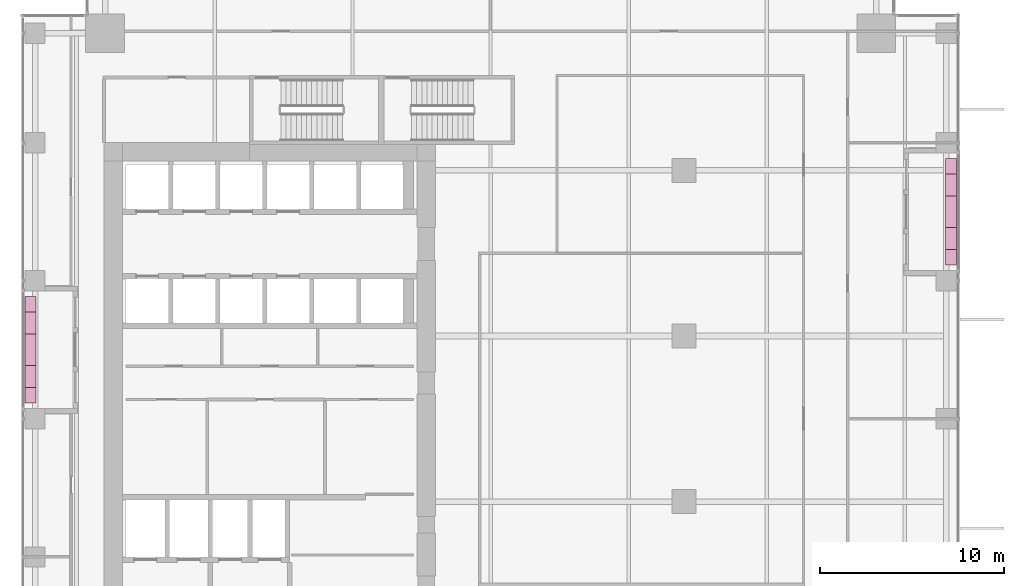
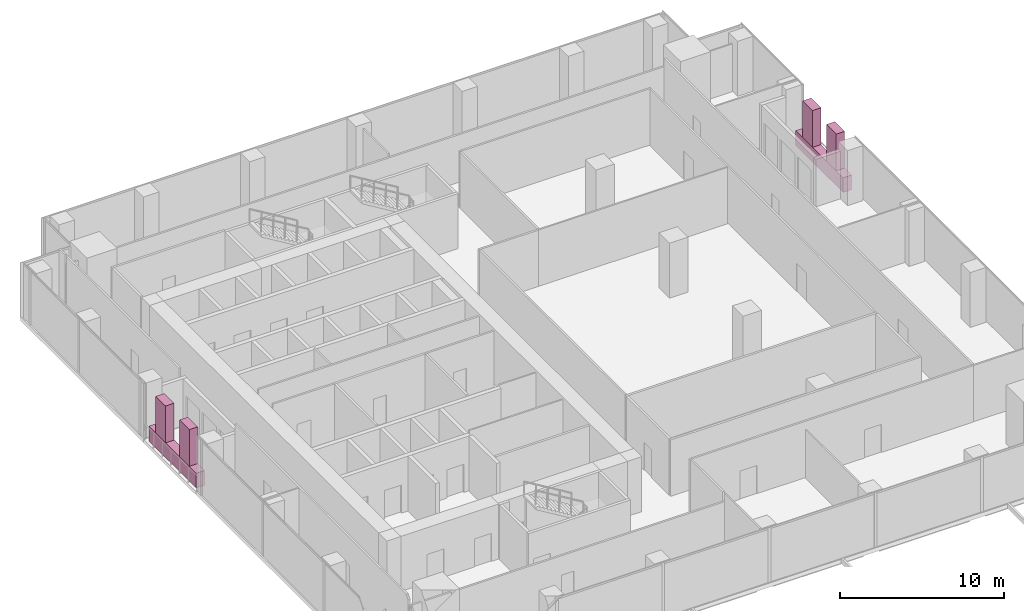
# One storey, part 35 of 35: 6 furnishings.
"""IFC4 building model written with IfcOpenShell, lengths in metres."""

from ifc_helpers import new_model, si_unit, direction, frame, origin, origin_2d, place, context, subcontext, project, spatial, rectangle, extrude, source, transform, mapped, material, type_object, element, save


model = new_model("IFC4")

# Units and contexts
model_context = context("Model", 3, precision=1e-05, world=origin(), true_north=direction((0.0, 1.0)))
body_context = subcontext(model_context, "Body", "Model", "MODEL_VIEW")
ifc_project = project(units=[si_unit("LENGTHUNIT", "METRE"), si_unit("AREAUNIT", "SQUARE_METRE"), si_unit("VOLUMEUNIT", "CUBIC_METRE"), si_unit("PLANEANGLEUNIT", "RADIAN"), si_unit("MASSUNIT", "GRAM", prefix="KILO")], contexts=[model_context])

# Site, building, storey
site_placement = place(None, origin())
site = spatial("IfcSite", under=ifc_project, at=site_placement, CompositionType="ELEMENT")
building_placement = place(site_placement, origin())
building = spatial("IfcBuilding", under=site, at=building_placement, Name="Khomas Fold Tower", CompositionType="ELEMENT")
storey_placement = place(building_placement, frame((0.0, 0.0, 132.300048828125)))
storey = spatial("IfcBuildingStorey", under=building, at=storey_placement, Name="L28", CompositionType="ELEMENT", Elevation=132.300048828125)

# Furnishings
ifc_material_1 = material(Name="Planting")
furnishing_element_type_1 = type_object("IfcFurnishingElementType", Name="BL-Tree Wild olive", material=ifc_material_1)
shared_shape_1 = source(origin(), body_context, "Body", "SweptSolid", [
    extrude(rectangle(XDim=1.199951171875, YDim=0.60009765625, at=origin_2d()), origin(), (0.0, 0.0, 1.0), 2.7451171875),
])
furnishing_1_placement = place(storey_placement, frame((52.0, 36.800048828125, 1.054931640625), z_axis=(0.0, 0.0, 1.0), x_axis=(0.0, 1.0, 0.0)))
element("IfcFurnishingElement", 1, at=furnishing_1_placement, inside=storey, type_object=furnishing_element_type_1, Name="PLANTER (TREE) Wild olive BAL-L28-E4-1", context=body_context, shape_type="MappedRepresentation", body=[
    mapped(shared_shape_1, transform((0.0, 0.0, 0.0))),
])
ifc_material_2 = material(Name="Planting")
furnishing_element_type_2 = type_object("IfcFurnishingElementType", Name="BL-Tree Shepherd's tree", material=ifc_material_2)
furnishing_2_placement = place(storey_placement, frame((52.0, 39.699951171875, 1.054931640625), z_axis=(0.0, 0.0, 1.0), x_axis=(0.0, 1.0, 0.0)))
element("IfcFurnishingElement", 2, at=furnishing_2_placement, inside=storey, type_object=furnishing_element_type_2, Name="PLANTER (TREE) Shepherd's tree BAL-L28-E4-2", context=body_context, shape_type="MappedRepresentation", body=[
    mapped(shared_shape_1, transform((0.0, 0.0, 0.0))),
])
furnishing_3_placement = place(storey_placement, frame((2.0, 29.300048828125, 1.054931640625), z_axis=(0.0, 0.0, 1.0), x_axis=(0.0, 1.0, 0.0)))
element("IfcFurnishingElement", 3, at=furnishing_3_placement, inside=storey, type_object=furnishing_element_type_1, Name="PLANTER (TREE) Wild olive BAL-L28-W3-1", context=body_context, shape_type="MappedRepresentation", body=[
    mapped(shared_shape_1, transform((0.0, 0.0, 0.0))),
])
furnishing_4_placement = place(storey_placement, frame((2.0, 32.199951171875, 1.054931640625), z_axis=(0.0, 0.0, 1.0), x_axis=(0.0, 1.0, 0.0)))
element("IfcFurnishingElement", 4, at=furnishing_4_placement, inside=storey, type_object=furnishing_element_type_2, Name="PLANTER (TREE) Shepherd's tree BAL-L28-W3-2", context=body_context, shape_type="MappedRepresentation", body=[
    mapped(shared_shape_1, transform((0.0, 0.0, 0.0))),
])
ifc_material_3 = material(Name="Precast concrete C40/50", Category="concrete")
furnishing_element_type_3 = type_object("IfcFurnishingElementType", Name="BL-Structural planter box", material=ifc_material_3)
shared_shape_2 = source(origin(), body_context, "Body", "SweptSolid", [
    extrude(rectangle(XDim=5.800048828125, YDim=0.60009765625, at=origin_2d()), origin(), (0.0, 0.0, 1.0), 1.10009765625),
])
for number, where, z_axis, x_axis, name in (
    (5, (52.0, 38.25, -0.045166015625), (0.0, 0.0, 1.0), (0.0, 1.0, 0.0), "PLANTER BAL-L28-E4"),
    (6, (2.0, 30.75, -0.045166015625), (0.0, 0.0, 1.0), (0.0, 1.0, 0.0), "PLANTER BAL-L28-W3"),
):
    element("IfcFurnishingElement", number, at=place(storey_placement, frame(where, z_axis=z_axis, x_axis=x_axis)), inside=storey, type_object=furnishing_element_type_3, Name=name, context=body_context, shape_type="MappedRepresentation", body=[
        mapped(shared_shape_2, transform((0.0, 0.0, 0.0))),
    ])

save(model, "model.ifc")
